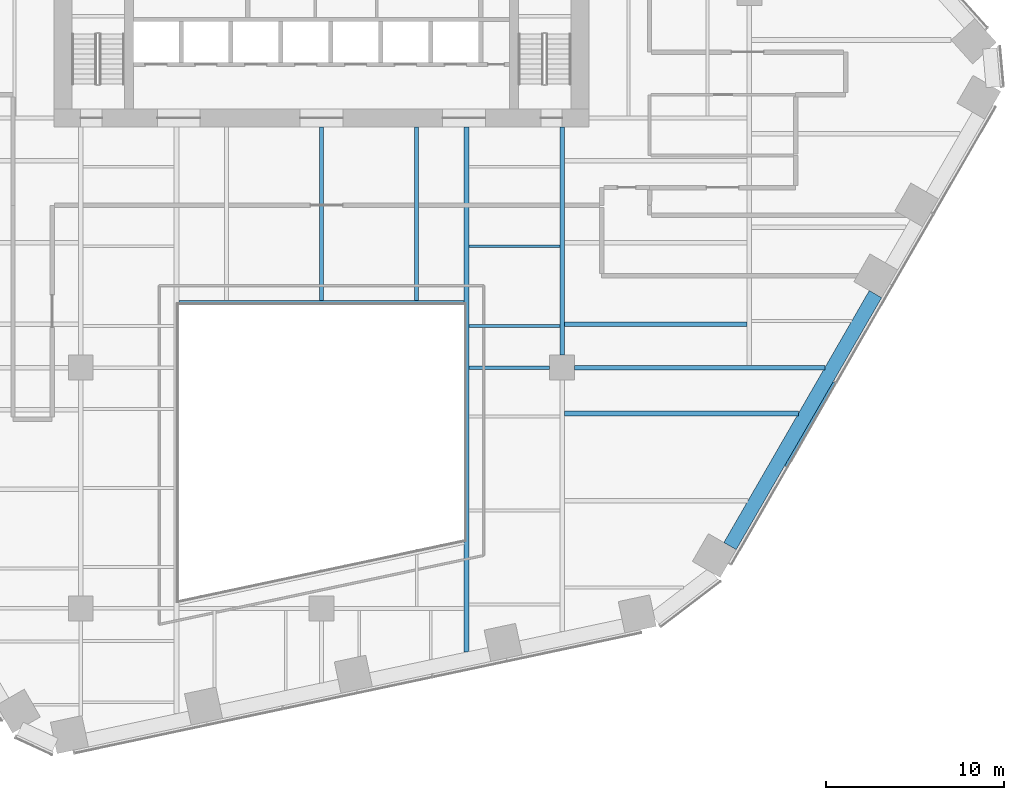
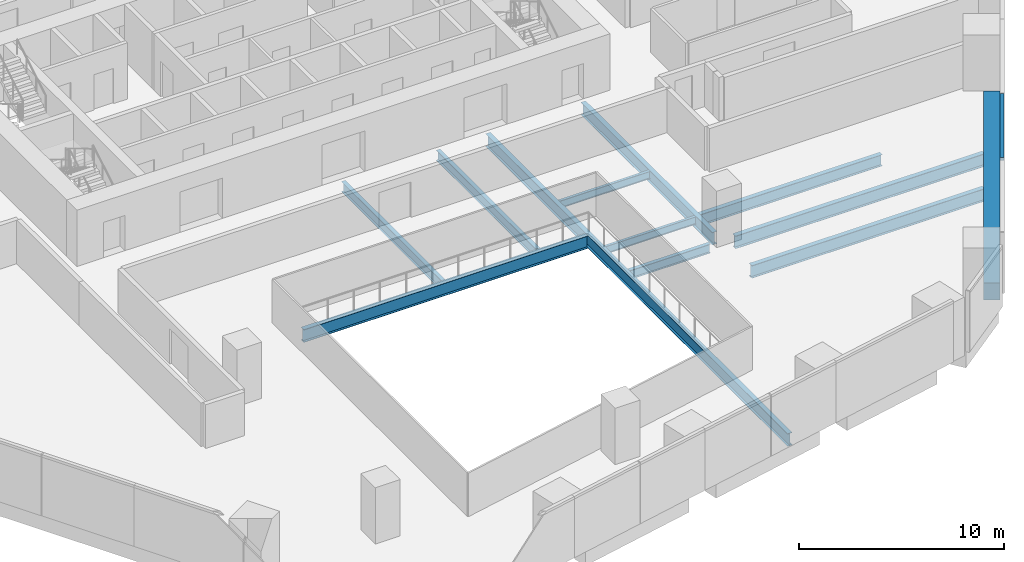
# One storey, part 6 of 20: 12 beams, 1 member, 1 element without a shape of its own.
"""IFC4 building model written with IfcOpenShell, lengths in metres."""

from ifc_helpers import new_model, si_unit, direction, frame, origin, origin_2d, place, context, subcontext, project, spatial, rectangle, i_section, extrude, material, layer, layer_set, material_profile, profile_set, type_object, element, aggregate, save


model = new_model("IFC4")

# Units and contexts
model_context = context("Model", 3, precision=1e-05, world=origin(), true_north=direction((0.0, 1.0)))
body_context = subcontext(model_context, "Body", "Model", "MODEL_VIEW")
ifc_project = project(units=[si_unit("LENGTHUNIT", "METRE"), si_unit("AREAUNIT", "SQUARE_METRE"), si_unit("VOLUMEUNIT", "CUBIC_METRE"), si_unit("PLANEANGLEUNIT", "RADIAN"), si_unit("MASSUNIT", "GRAM", prefix="KILO")], contexts=[model_context])

# Site, building, storey
site_placement = place(None, origin())
site = spatial("IfcSite", under=ifc_project, at=site_placement, CompositionType="ELEMENT")
building_placement = place(site_placement, origin())
building = spatial("IfcBuilding", under=site, at=building_placement, Name="Isthmus Gate Tower", CompositionType="ELEMENT")
storey_placement = place(building_placement, frame((0.0, 0.0, 72.5)))
storey = spatial("IfcBuildingStorey", under=building, at=storey_placement, Name="L16", CompositionType="ELEMENT", Elevation=72.5)

# Curtain wall, member
ifc_material_1 = material(Name="Aluminium, pale champagne anodised", Category="aluminium")
ifc_layer = layer(ifc_material_1, 0.199951171875)
ifc_layer_set = layer_set([ifc_layer], Name="CW-1 UNITISED CURTAIN WALL 200 DEEP")
curtain_wall_type = type_object("IfcCurtainWallType", Name="CW-1 UNITISED CURTAIN WALL 200 DEEP", PredefinedType="NOTDEFINED", material=ifc_layer_set)
curtain_wall_placement = place(storey_placement, origin())
curtain_wall = element("IfcCurtainWall", 1, at=curtain_wall_placement, inside=storey, type_object=curtain_wall_type, Name="CW-1 SE L16", PredefinedType="NOTDEFINED")
ifc_material_2 = material(Name="Aluminium, pale champagne anodised", Category="aluminium")
ifc_material_profile_1 = material_profile(ifc_material_2, rectangle(XDim=0.199951171875, YDim=0.14990234375, at=origin_2d()), Name="200x150")
ifc_profile_set_1 = profile_set([ifc_material_profile_1], Name="Aluminium, pale champagne anodised")
member_type = type_object("IfcMemberType", Name="CW-1 TRANSOM 200 X 150", PredefinedType="USERDEFINED", material=ifc_profile_set_1)
member_placement = place(storey_placement, frame((26.06787109375, -19.04931640625, 3.574951171875), z_axis=(0.499991872758, 0.866030095999, 0.0), x_axis=(-0.866030095999, 0.499991872758, 0.0)))
member = element("IfcMember", 2, at=member_placement, type_object=member_type, Name="CW-1 transom", ObjectType="TRANSOM", PredefinedType="USERDEFINED", context=body_context, shape_type="SweptSolid", body=[
    extrude(rectangle(XDim=0.199951171875, YDim=0.14990234375, at=origin_2d()), origin(), (0.0, 0.0, 1.0), 5.4384765625),
])
aggregate(curtain_wall, [member])

# Beams
ifc_material_3 = material(Name="Concrete f'c 70 MPa", Category="concrete")
ifc_material_profile_2 = material_profile(ifc_material_3, rectangle(XDim=0.800048828125, YDim=1.0, at=origin_2d()), Name="RC 800X1000")
ifc_profile_set_2 = profile_set([ifc_material_profile_2], Name="Concrete f'c 70 MPa")
beam_type_1 = type_object("IfcBeamType", Name="RC SPANDREL 800 X 1000", PredefinedType="SPANDREL", material=ifc_profile_set_2)
beam_1_placement = place(storey_placement, frame((31.0732421875, -9.37939453125, -0.5), z_axis=(-0.499991872758, -0.866030095999, 0.0), x_axis=(0.866030095999, -0.499991872758, 0.0)))
element("IfcBeam", 3, at=beam_1_placement, inside=storey, type_object=beam_type_1, Name="str-spandrel-L16-08", PredefinedType="SPANDREL", context=body_context, shape_type="SweptSolid", body=[
    extrude(rectangle(XDim=0.800048828125, YDim=1.0, at=origin_2d()), origin(), (0.0, 0.0, 1.0), 16.315673828125),
])
ifc_material_4 = material(Name="Structural steel ASTM A992 Gr 50", Category="steel")
ifc_material_profile_3 = material_profile(ifc_material_4, i_section(OverallWidth=0.15234375, OverallDepth=0.45068359375, WebThickness=0.0078125, FlangeThickness=0.010986328125, at=origin_2d()), Name="W18X35")
ifc_profile_set_3 = profile_set([ifc_material_profile_3], Name="Structural steel ASTM A992 Gr 50")
beam_type_2 = type_object("IfcBeamType", Name="STEEL FLOOR BEAM W18X35", PredefinedType="JOIST", material=ifc_profile_set_3)
for number, where, z_axis, x_axis, name in (
    (4, (8.263427734375, -11.16259765625, -0.37548828125), (1.0, 0.0, 0.0), (0.0, 1.0, 0.0), "str-beam-L16-23-00"),
    (5, (8.263427734375, -6.697509765625, -0.37548828125), (1.0, 0.0, 0.0), (0.0, 1.0, 0.0), "str-beam-L16-23-01"),
):
    element("IfcBeam", number, at=place(storey_placement, frame(where, z_axis=z_axis, x_axis=x_axis)), inside=storey, type_object=beam_type_2, Name=name, PredefinedType="JOIST", context=body_context, shape_type="SweptSolid", body=[
        extrude(i_section(OverallWidth=0.15234375, OverallDepth=0.45068359375, WebThickness=0.0078125, FlangeThickness=0.010986328125, at=origin_2d()), origin(), (0.0, 0.0, 1.0), 5.104736328125),
    ])
ifc_material_5 = material(Name="Structural steel ASTM A992 Gr 50", Category="steel")
ifc_material_profile_4 = material_profile(ifc_material_5, i_section(OverallWidth=0.228515625, OverallDepth=0.603271484375, WebThickness=0.010986328125, FlangeThickness=0.014404296875, at=origin_2d()), Name="W24X68")
ifc_profile_set_4 = profile_set([ifc_material_profile_4], Name="Structural steel ASTM A992 Gr 50")
beam_type_3 = type_object("IfcBeamType", Name="STEEL FLOOR BEAM W24X68", PredefinedType="JOIST", material=ifc_profile_set_4)
for number, where, z_axis, x_axis, name in (
    (6, (0.0, -9.7333984375, -0.45166015625), (0.0, 1.0, 0.0), (-1.0, 0.0, 0.0), "str-beam-L16-16-01"),
    (7, (5.333251953125, -9.7333984375, -0.45166015625), (0.0, 1.0, 0.0), (-1.0, 0.0, 0.0), "str-beam-L16-16-02"),
):
    element("IfcBeam", number, at=place(storey_placement, frame(where, z_axis=z_axis, x_axis=x_axis)), inside=storey, type_object=beam_type_3, Name=name, PredefinedType="JOIST", context=body_context, shape_type="SweptSolid", body=[
        extrude(i_section(OverallWidth=0.228515625, OverallDepth=0.603271484375, WebThickness=0.010986328125, FlangeThickness=0.014404296875, at=origin_2d()), origin(), (0.0, 0.0, 1.0), 9.7333984375),
    ])
ifc_material_6 = material(Name="Structural steel ASTM A992 Gr 50", Category="steel")
ifc_material_profile_5 = material_profile(ifc_material_6, i_section(OverallWidth=0.25390625, OverallDepth=0.679443359375, WebThickness=0.010986328125, FlangeThickness=0.015869140625, at=origin_2d()), Name="W27X84")
ifc_profile_set_5 = profile_set([ifc_material_profile_5], Name="Structural steel ASTM A992 Gr 50")
beam_type_4 = type_object("IfcBeamType", Name="STEEL FLOOR BEAM W27X84", PredefinedType="JOIST", material=ifc_profile_set_5)
beam_2_placement = place(storey_placement, frame((13.6318359375, -11.07470703125, -0.48974609375), z_axis=(1.0, 0.0, 0.0), x_axis=(0.0, 1.0, 0.0)))
element("IfcBeam", 8, at=beam_2_placement, inside=storey, type_object=beam_type_4, Name="str-beam-L16-27-00", PredefinedType="JOIST", context=body_context, shape_type="SweptSolid", body=[
    extrude(i_section(OverallWidth=0.25390625, OverallDepth=0.679443359375, WebThickness=0.010986328125, FlangeThickness=0.015869140625, at=origin_2d()), origin(), (0.0, 0.0, 1.0), 10.23486328125),
])
ifc_material_7 = material(Name="Structural steel ASTM A992 Gr 50", Category="steel")
ifc_material_profile_6 = material_profile(ifc_material_7, i_section(OverallWidth=0.263427734375, OverallDepth=0.749267578125, WebThickness=0.0126953125, FlangeThickness=0.015869140625, at=origin_2d()), Name="W30X90")
ifc_profile_set_6 = profile_set([ifc_material_profile_6], Name="Structural steel ASTM A992 Gr 50")
beam_type_5 = type_object("IfcBeamType", Name="STEEL FLOOR BEAM W30X90", PredefinedType="JOIST", material=ifc_profile_set_6)
beam_3_placement = place(storey_placement, frame((13.63330078125, -16.0751953125, -0.524658203125), z_axis=(1.0, 0.0, 0.0), x_axis=(0.0, 1.0, 0.0)))
element("IfcBeam", 9, at=beam_3_placement, inside=storey, type_object=beam_type_5, Name="str-beam-L16-28-02", PredefinedType="JOIST", context=body_context, shape_type="SweptSolid", body=[
    extrude(i_section(OverallWidth=0.263427734375, OverallDepth=0.749267578125, WebThickness=0.0126953125, FlangeThickness=0.015869140625, at=origin_2d()), origin(), (0.0, 0.0, 1.0), 13.1123046875),
])
ifc_material_8 = material(Name="Structural steel ASTM A992 Gr 50", Category="steel")
ifc_material_profile_7 = material_profile(ifc_material_8, i_section(OverallWidth=0.20947265625, OverallDepth=0.533447265625, WebThickness=0.009521484375, FlangeThickness=0.015869140625, at=origin_2d()), Name="W21X62")
ifc_profile_set_7 = profile_set([ifc_material_profile_7], Name="Structural steel ASTM A992 Gr 50")
beam_type_6 = type_object("IfcBeamType", Name="STEEL GIRDER W21X62", PredefinedType="BEAM", material=ifc_profile_set_7)
beam_4_placement = place(storey_placement, frame((8.263427734375, -13.5, -0.416748046875), z_axis=(1.0, 0.0, 0.0), x_axis=(0.0, 1.0, 0.0)))
element("IfcBeam", 10, at=beam_4_placement, inside=storey, type_object=beam_type_6, Name="str-girder-L16-07", PredefinedType="BEAM", context=body_context, shape_type="SweptSolid", body=[
    extrude(i_section(OverallWidth=0.20947265625, OverallDepth=0.533447265625, WebThickness=0.009521484375, FlangeThickness=0.015869140625, at=origin_2d()), origin(), (0.0, 0.0, 1.0), 4.53662109375),
])
ifc_material_9 = material(Name="Structural steel ASTM A992 Gr 50", Category="steel")
ifc_material_profile_8 = material_profile(ifc_material_9, i_section(OverallWidth=0.2666015625, OverallDepth=0.7587890625, WebThickness=0.014404296875, FlangeThickness=0.01904296875, at=origin_2d()), Name="W30X108")
ifc_profile_set_8 = profile_set([ifc_material_profile_8], Name="Structural steel ASTM A992 Gr 50")
beam_type_7 = type_object("IfcBeamType", Name="STEEL GIRDER W30X108", PredefinedType="BEAM", material=ifc_profile_set_8)
beam_5_placement = place(storey_placement, frame((14.199951171875, -13.5, -0.529296875), z_axis=(1.0, 0.0, 0.0), x_axis=(0.0, 1.0, 0.0)))
element("IfcBeam", 11, at=beam_5_placement, inside=storey, type_object=beam_type_7, Name="str-girder-L16-08", PredefinedType="BEAM", context=body_context, shape_type="SweptSolid", body=[
    extrude(i_section(OverallWidth=0.2666015625, OverallDepth=0.7587890625, WebThickness=0.014404296875, FlangeThickness=0.01904296875, at=origin_2d()), origin(), (0.0, 0.0, 1.0), 14.032470703125),
])
ifc_material_10 = material(Name="Structural steel ASTM A992 Gr 50", Category="steel")
ifc_material_profile_9 = material_profile(ifc_material_10, i_section(OverallWidth=0.263427734375, OverallDepth=0.749267578125, WebThickness=0.0126953125, FlangeThickness=0.015869140625, at=origin_2d()), Name="W30X90")
ifc_profile_set_9 = profile_set([ifc_material_profile_9], Name="Structural steel ASTM A992 Gr 50")
beam_type_8 = type_object("IfcBeamType", Name="STEEL GIRDER W30X90", PredefinedType="BEAM", material=ifc_profile_set_9)
beam_6_placement = place(storey_placement, frame((13.5, -12.800048828125, -0.524658203125), z_axis=(0.0, 1.0, 0.0), x_axis=(-1.0, 0.0, 0.0)))
element("IfcBeam", 12, at=beam_6_placement, inside=storey, type_object=beam_type_8, Name="str-girder-L16-32", PredefinedType="BEAM", context=body_context, shape_type="SweptSolid", body=[
    extrude(i_section(OverallWidth=0.263427734375, OverallDepth=0.749267578125, WebThickness=0.0126953125, FlangeThickness=0.015869140625, at=origin_2d()), origin(), (0.0, 0.0, 1.0), 12.800048828125),
])
ifc_material_11 = material(Name="Structural steel ASTM A992 Gr 50", Category="steel")
ifc_material_profile_10 = material_profile(ifc_material_11, i_section(OverallWidth=0.2666015625, OverallDepth=0.7587890625, WebThickness=0.014404296875, FlangeThickness=0.01904296875, at=origin_2d()), Name="W30X108")
ifc_profile_set_10 = profile_set([ifc_material_profile_10], Name="Structural steel ASTM A992 Gr 50")
beam_type_9 = type_object("IfcBeamType", Name="STEEL TRIMMER W30X108", PredefinedType="BEAM", material=ifc_profile_set_10)
beam_7_placement = place(storey_placement, frame((8.0, -9.86669921875, -0.529296875), z_axis=(-1.0, 0.0, 0.0), x_axis=(0.0, -1.0, 0.0)))
element("IfcBeam", 13, at=beam_7_placement, inside=storey, type_object=beam_type_9, Name="str-trimmer-L16-04", PredefinedType="BEAM", context=body_context, shape_type="SweptSolid", body=[
    extrude(i_section(OverallWidth=0.2666015625, OverallDepth=0.7587890625, WebThickness=0.014404296875, FlangeThickness=0.01904296875, at=origin_2d()), origin(), (0.0, 0.0, 1.0), 16.0),
])
ifc_material_12 = material(Name="Structural steel ASTM A992 Gr 50", Category="steel")
ifc_material_profile_11 = material_profile(ifc_material_12, i_section(OverallWidth=0.263427734375, OverallDepth=0.749267578125, WebThickness=0.0126953125, FlangeThickness=0.015869140625, at=origin_2d()), Name="W30X90")
ifc_profile_set_11 = profile_set([ifc_material_profile_11], Name="Structural steel ASTM A992 Gr 50")
beam_type_10 = type_object("IfcBeamType", Name="STEEL TRIMMER W30X90", PredefinedType="BEAM", material=ifc_profile_set_11)
beam_8_placement = place(storey_placement, frame((8.1318359375, -29.45361328125, -0.524658203125), z_axis=(0.0, 1.0, 0.0), x_axis=(-1.0, 0.0, 0.0)))
element("IfcBeam", 14, at=beam_8_placement, inside=storey, type_object=beam_type_10, Name="str-trimmer-L16-01", PredefinedType="BEAM", context=body_context, shape_type="SweptSolid", body=[
    extrude(i_section(OverallWidth=0.263427734375, OverallDepth=0.749267578125, WebThickness=0.0126953125, FlangeThickness=0.015869140625, at=origin_2d()), origin(), (0.0, 0.0, 1.0), 29.45361328125),
])

save(model, "model.ifc")
